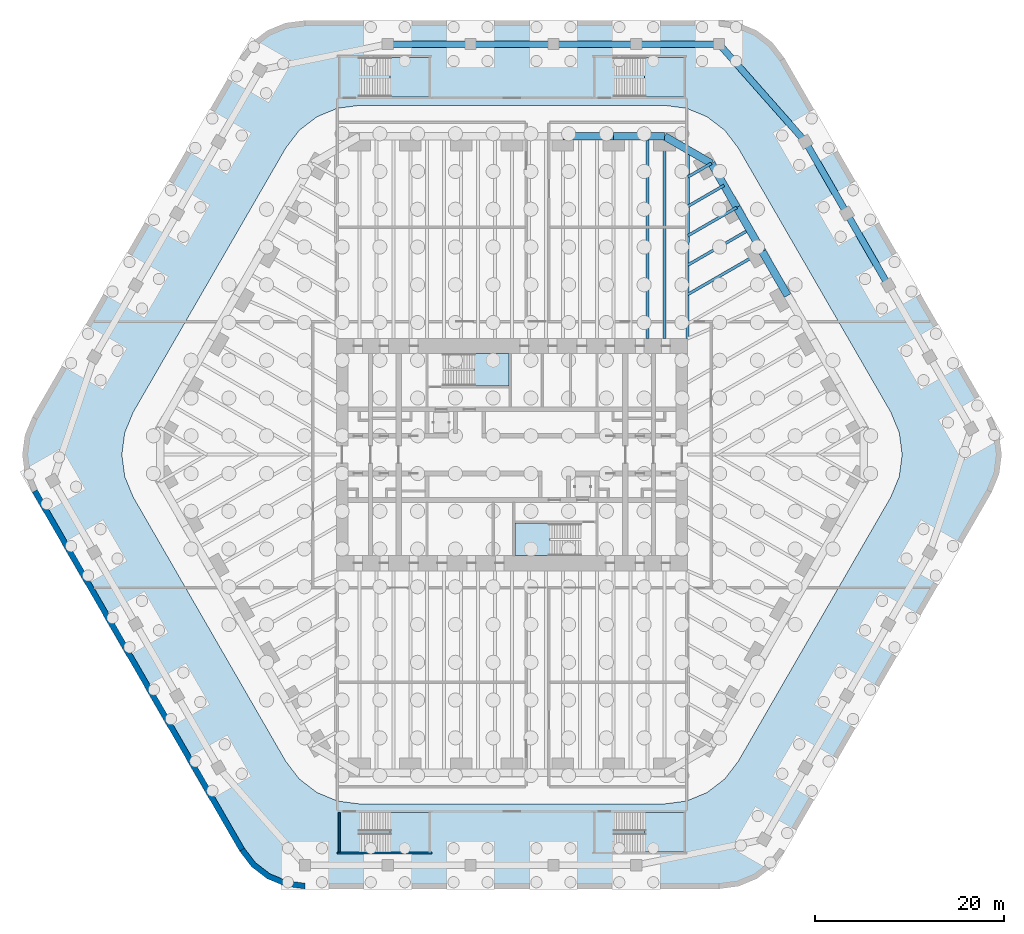
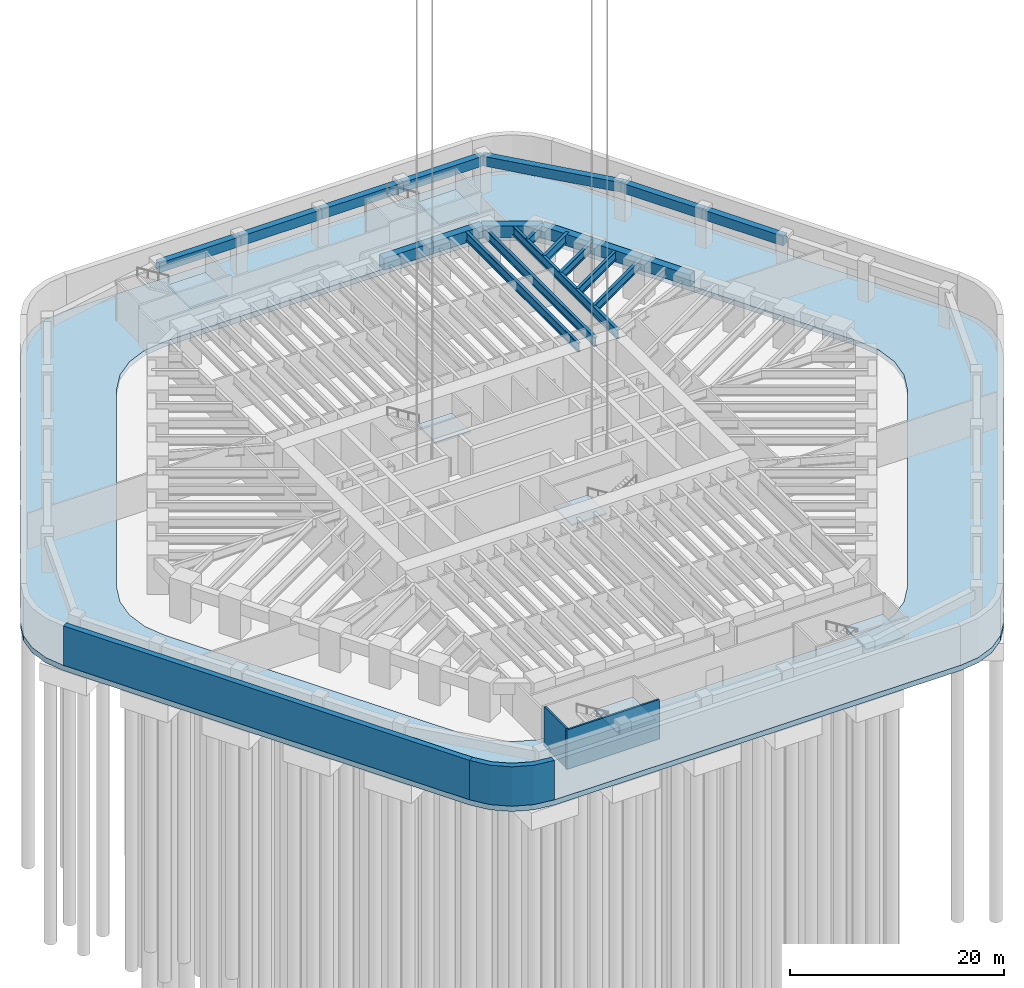
# One storey, part 5 of 17: 21 beams, 7 slabs, 4 walls, 6 elements without a shape of their own.
"""IFC4 building model written with IfcOpenShell, lengths in metres."""

import ifcopenshell
import ifcopenshell.guid

model = None  # the IFC model being written
_history = None  # IfcOwnerHistory: only IFC2X3 demands one
_inside = {}  # id of a spatial element -> (the spatial element, [elements in it])
_under = {}  # id of a project, library or spatial element -> (it, [spatial elements below it])
_declared = {}  # id of a project -> (the project, [libraries it declares])
_typed = {}  # id of a type object -> (the type object, [elements of that type])
_made_of = {}  # id of a material, layer set ... -> (it, [elements and type objects made of it])


def new_model(schema):
    """Start an empty IFC model of exactly this schema.

    Asked for "IFC4X3", IfcOpenShell would pick the latest addendum, in which some entities
    have other attributes; the version numbers below select the first issue.
    IFC2X3 requires an IfcOwnerHistory on every rooted entity: one is made here for all.
    """
    global model, _history
    if schema == "IFC4X3":
        model = ifcopenshell.file(schema_version=(4, 3, 0, 0))
    else:
        model = ifcopenshell.file(schema=schema)
    _inside.clear()
    _under.clear()
    _declared.clear()
    _typed.clear()
    _made_of.clear()
    _history = None
    if model.schema == "IFC2X3":
        org = make("IfcOrganization", Name="unknown")
        user = make(
            "IfcPersonAndOrganization",
            ThePerson=make("IfcPerson", FamilyName="unknown"),
            TheOrganization=org,
        )
        app = make(
            "IfcApplication",
            ApplicationDeveloper=org,
            Version="unknown",
            ApplicationFullName="unknown",
            ApplicationIdentifier="unknown",
        )
        _history = make(
            "IfcOwnerHistory",
            OwningUser=user,
            OwningApplication=app,
            ChangeAction="ADDED",
            CreationDate=0,
        )
    return model


def make(cls, **values):
    """One entity of the class cls with the attributes given. An attribute that is None is left unset."""
    return model.create_entity(
        cls, **{name: value for name, value in values.items() if value is not None}
    )


def rooted(cls, **values):
    """An entity with a GlobalId (a new one), such as an element, a storey or a relation."""
    return make(cls, GlobalId=ifcopenshell.guid.new(), OwnerHistory=_history, **values)


def si_unit(unit_type, name, prefix=None):
    """IfcSIUnit, for example si_unit("LENGTHUNIT", "METRE", prefix="MILLI")."""
    return make("IfcSIUnit", UnitType=unit_type, Prefix=prefix, Name=name)


def assignment(units):
    """IfcUnitAssignment: the units of a project."""
    return None if units is None else make("IfcUnitAssignment", Units=units)


def point(xyz):
    """IfcCartesianPoint."""
    return None if xyz is None else make("IfcCartesianPoint", Coordinates=xyz)


def direction(xyz):
    """IfcDirection."""
    return None if xyz is None else make("IfcDirection", DirectionRatios=xyz)


def frame(location, z_axis=None, x_axis=None):
    """IfcAxis2Placement3D, a coordinate frame: its origin and axes. An axis left out is left unset."""
    return make(
        "IfcAxis2Placement3D",
        Location=point(location),
        Axis=direction(z_axis),
        RefDirection=direction(x_axis),
    )


def frame_2d(location, x_axis=None):
    """IfcAxis2Placement2D, a coordinate frame in the plane: its origin and x axis."""
    return make(
        "IfcAxis2Placement2D", Location=point(location), RefDirection=direction(x_axis)
    )


def origin():
    """The frame at (0, 0, 0) with its axes left unset."""
    return frame((0.0, 0.0, 0.0))


def origin_2d():
    """The frame at (0, 0) in the plane with its x axis left unset."""
    return frame_2d((0.0, 0.0))


def place(relative_to, where):
    """IfcLocalPlacement: puts the frame where relative to a parent placement (None: the world)."""
    return make(
        "IfcLocalPlacement", PlacementRelTo=relative_to, RelativePlacement=where
    )


def context(
    kind, dimensions, precision=None, world=None, true_north=None, identifier=None
):
    """IfcGeometricRepresentationContext, for example the 3D "Model" context."""
    return make(
        "IfcGeometricRepresentationContext",
        ContextIdentifier=identifier,
        ContextType=kind,
        CoordinateSpaceDimension=dimensions,
        Precision=precision,
        WorldCoordinateSystem=world,
        TrueNorth=true_north,
    )


def subcontext(parent, identifier, kind, view, scale=None):
    """IfcGeometricRepresentationSubContext, for example "Body" below "Model"."""
    return make(
        "IfcGeometricRepresentationSubContext",
        ContextIdentifier=identifier,
        ContextType=kind,
        ParentContext=parent,
        TargetScale=scale,
        TargetView=view,
    )


def project(units=None, contexts=None):
    """IfcProject with its units and contexts."""
    return rooted(
        "IfcProject",
        Name="project",
        RepresentationContexts=contexts,
        UnitsInContext=assignment(units),
    )


def spatial(cls, under=None, at=None, **own):
    """A site, building, storey or space (cls), placed at a placement, below another one or the project."""
    s = rooted(cls, ObjectPlacement=at, **own)
    if under is not None:
        _under.setdefault(under.id(), (under, []))[1].append(s)
    return s


def polyline(points):
    """IfcPolyline through the points."""
    return make("IfcPolyline", Points=[point(p) for p in points])


def profile(cls, at=None, kind="AREA", **sizes):
    """A parametric profile (cls). Its sizes go by their IFC names, for example OverallWidth=200.0."""
    return make(cls, ProfileType=kind, Position=at, **sizes)


def rectangle(**sizes):
    """IfcRectangleProfileDef."""
    return profile("IfcRectangleProfileDef", **sizes)


def i_section(**sizes):
    """IfcIShapeProfileDef."""
    return profile("IfcIShapeProfileDef", **sizes)


def outline(outer, holes=None, kind="AREA"):
    """IfcArbitraryClosedProfileDef: a profile drawn as a closed curve; with holes, ...WithVoids."""
    if holes is None:
        return make("IfcArbitraryClosedProfileDef", ProfileType=kind, OuterCurve=outer)
    return make(
        "IfcArbitraryProfileDefWithVoids",
        ProfileType=kind,
        OuterCurve=outer,
        InnerCurves=holes,
    )


def extrude(swept, where, along, depth):
    """IfcExtrudedAreaSolid: the profile swept, set in the frame where, extruded along a direction by depth."""
    return make(
        "IfcExtrudedAreaSolid",
        SweptArea=swept,
        Position=where,
        ExtrudedDirection=direction(along),
        Depth=depth,
    )


def shape(context_of_items, identifier, shape_type, items):
    """IfcShapeRepresentation: the items that make up one representation, for example the "Body"."""
    return make(
        "IfcShapeRepresentation",
        ContextOfItems=context_of_items,
        RepresentationIdentifier=identifier,
        RepresentationType=shape_type,
        Items=items,
    )


def material(Name=None, Category=None):
    """IfcMaterial."""
    return make("IfcMaterial", Name=Name, Category=Category)


def layer(
    of_material, thickness, ventilated=None, Name=None, Category=None, Priority=None
):
    """IfcMaterialLayer: one layer of a wall or slab, of a material (None: an air gap)."""
    return make(
        "IfcMaterialLayer",
        Material=of_material,
        LayerThickness=thickness,
        IsVentilated=ventilated,
        Name=Name,
        Category=Category,
        Priority=Priority,
    )


def layer_set(layers, Name=None):
    """IfcMaterialLayerSet."""
    return make("IfcMaterialLayerSet", MaterialLayers=layers, LayerSetName=Name)


def material_profile(
    of_material, cross_section, Name=None, Category=None, Priority=None
):
    """IfcMaterialProfile: a cross section and its material."""
    return make(
        "IfcMaterialProfile",
        Name=Name,
        Material=of_material,
        Profile=cross_section,
        Priority=Priority,
        Category=Category,
    )


def profile_set(profiles, Name=None, composite=None):
    """IfcMaterialProfileSet."""
    return make(
        "IfcMaterialProfileSet",
        Name=Name,
        MaterialProfiles=profiles,
        CompositeProfile=composite,
    )


def made_of(thing, what):
    """Note that an element or type object is made of a material, layer set ...; save() writes the relation."""
    if what is not None:
        _made_of.setdefault(what.id(), (what, []))[1].append(thing)
    return thing


def type_object(cls, material=None, **own):
    """A type object (cls), such as IfcWallType, which elements share."""
    return made_of(rooted(cls, **own), material)


def element(
    cls,
    number,
    at=None,
    inside=None,
    cuts=None,
    type_object=None,
    material=None,
    context=None,
    identifier="Body",
    shape_type=None,
    held_by="IfcProductDefinitionShape",
    body=None,
    shapes=None,
    **own,
):
    """One element of the class cls, such as IfcWall. Its Tag is "e" and its number.

    at: its placement. inside: the storey or other place that contains it. cuts: it is an
    opening in that element (IfcRelVoidsElement). A single representation is given by context,
    identifier, shape_type and body (its items); several are given by shapes. held_by: the class
    of the entity that holds the representations. save() writes the other relations.
    """
    e = rooted(cls, Tag="e%d" % number, ObjectPlacement=at, **own)
    if body is not None:
        shapes = [shape(context, identifier, shape_type, body)]
    if shapes is not None:
        e.Representation = make(held_by, Representations=shapes)
    if inside is not None:
        _inside.setdefault(inside.id(), (inside, []))[1].append(e)
    if cuts is not None:
        rooted(
            "IfcRelVoidsElement", RelatingBuildingElement=cuts, RelatedOpeningElement=e
        )
    if type_object is not None:
        _typed.setdefault(type_object.id(), (type_object, []))[1].append(e)
    return made_of(e, material)


def aggregate(whole, parts):
    """IfcRelAggregates: a whole, such as a stair, and the parts it consists of."""
    return rooted("IfcRelAggregates", RelatingObject=whole, RelatedObjects=parts)


def save(model, path):
    """Write the relations noted so far, then the file.

    IfcRelAggregates (storeys below a building ...), IfcRelContainedInSpatialStructure (elements
    in a storey), IfcRelDefinesByType, IfcRelAssociatesMaterial and IfcRelDeclares: one each for
    every whole, place, type object, material and project.
    """
    for whole, parts in _under.values():
        aggregate(whole, parts)
    for where, things in _inside.values():
        rooted(
            "IfcRelContainedInSpatialStructure",
            RelatedElements=things,
            RelatingStructure=where,
        )
    for kind, things in _typed.values():
        rooted("IfcRelDefinesByType", RelatedObjects=things, RelatingType=kind)
    for what, things in _made_of.values():
        rooted("IfcRelAssociatesMaterial", RelatedObjects=things, RelatingMaterial=what)
    for by, libraries in _declared.values():
        rooted("IfcRelDeclares", RelatingContext=by, RelatedDefinitions=libraries)
    model.write(path)


model = new_model("IFC4")

# Units and contexts
model_context = context("Model", 3, precision=1e-05, world=origin(), true_north=direction((0.0, 1.0)))
body_context = subcontext(model_context, "Body", "Model", "MODEL_VIEW")
ifc_project = project(units=[si_unit("LENGTHUNIT", "METRE"), si_unit("AREAUNIT", "SQUARE_METRE"), si_unit("VOLUMEUNIT", "CUBIC_METRE"), si_unit("PLANEANGLEUNIT", "RADIAN"), si_unit("MASSUNIT", "GRAM", prefix="KILO")], contexts=[model_context])

# Site, building, storey
site_placement = place(None, origin())
site = spatial("IfcSite", under=ifc_project, at=site_placement, CompositionType="ELEMENT")
building_placement = place(site_placement, origin())
building = spatial("IfcBuilding", under=site, at=building_placement, Name="Tarfa Lantern Tower", CompositionType="ELEMENT")
storey_placement = place(building_placement, frame((0.0, 0.0, -9.0)))
storey = spatial("IfcBuildingStorey", under=building, at=storey_placement, Name="B2", CompositionType="ELEMENT", Elevation=-9.0)

# Beams
ifc_material_1 = material(Name="Concrete C80/95", Category="concrete")
ifc_material_profile_1 = material_profile(ifc_material_1, rectangle(XDim=0.800048828125, YDim=1.300048828125, at=origin_2d()), Name="RC 800x1300")
ifc_profile_set_1 = profile_set([ifc_material_profile_1], Name="Concrete C80/95")
beam_type_1 = type_object("IfcBeamType", Name="EB1 RC 800x1300", PredefinedType="SPANDREL", material=ifc_profile_set_1)
beam_1_placement = place(storey_placement, frame((29.202392578125, 16.860107421875, 3.5), z_axis=(-0.500017906299, 0.866015065331, 0.0), x_axis=(-0.866015065331, -0.500017906299, 0.0)))
element("IfcBeam", 1, at=beam_1_placement, inside=storey, type_object=beam_type_1, Name="Edge beam NE3", PredefinedType="SPANDREL", context=body_context, shape_type="SweptSolid", body=[
    extrude(rectangle(XDim=0.800048828125, YDim=1.300048828125, at=origin_2d()), origin(), (0.0, 0.0, 1.0), 5.388427734375),
])
for number, where, z_axis, x_axis, name in (
    (2, (26.508056640625, 21.526611328125, 3.5), (-0.499998287579, 0.866026392449, 0.0), (-0.866026392449, -0.499998287579, 0.0), "Edge beam NE4"),
    (3, (23.813720703125, 26.193359375, 3.5), (-0.499998287579, 0.866026392449, 0.0), (-0.866026392449, -0.499998287579, 0.0), "Edge beam NE5"),
):
    element("IfcBeam", number, at=place(storey_placement, frame(where, z_axis=z_axis, x_axis=x_axis)), inside=storey, type_object=beam_type_1, Name=name, PredefinedType="SPANDREL", context=body_context, shape_type="SweptSolid", body=[
        extrude(rectangle(XDim=0.800048828125, YDim=1.300048828125, at=origin_2d()), origin(), (0.0, 0.0, 1.0), 5.388671875),
    ])
beam_2_placement = place(storey_placement, frame((21.119384765625, 30.860107421875, 3.5), z_axis=(-0.866033479681, 0.499986011877, 0.0), x_axis=(-0.499986011877, -0.866033479681, 0.0)))
element("IfcBeam", 4, at=beam_2_placement, inside=storey, type_object=beam_type_1, Name="Edge beam NE6", PredefinedType="SPANDREL", context=body_context, shape_type="SweptSolid", body=[
    extrude(rectangle(XDim=0.800048828125, YDim=1.300048828125, at=origin_2d()), origin(), (0.0, 0.0, 1.0), 5.719970703125),
])
beam_3_placement = place(storey_placement, frame((16.165771484375, 33.719970703125, 3.5), z_axis=(-1.0, 0.0, 0.0), x_axis=(0.0, -1.0, 0.0)))
element("IfcBeam", 5, at=beam_3_placement, inside=storey, type_object=beam_type_1, Name="Edge beam N0", PredefinedType="SPANDREL", context=body_context, shape_type="SweptSolid", body=[
    extrude(rectangle(XDim=0.800048828125, YDim=1.300048828125, at=origin_2d()), origin(), (0.0, 0.0, 1.0), 5.388671875),
])
beam_4_placement = place(storey_placement, frame((10.777099609375, 33.719970703125, 3.5), z_axis=(-1.0, 0.0, 0.0), x_axis=(0.0, -1.0, 0.0)))
element("IfcBeam", 6, at=beam_4_placement, inside=storey, type_object=beam_type_1, Name="Edge beam N1", PredefinedType="SPANDREL", context=body_context, shape_type="SweptSolid", body=[
    extrude(rectangle(XDim=0.800048828125, YDim=1.300048828125, at=origin_2d()), origin(), (0.0, 0.0, 1.0), 5.388427734375),
])
ifc_material_profile_2 = material_profile(ifc_material_1, rectangle(XDim=0.699951171875, YDim=1.10009765625, at=origin_2d()), Name="RC 700x1100")
ifc_profile_set_2 = profile_set([ifc_material_profile_2], Name="Concrete C80/95")
beam_type_2 = type_object("IfcBeamType", Name="PB1 RC 700x1100", PredefinedType="BEAM", material=ifc_profile_set_2)
for number, where, z_axis, x_axis, name in (
    (7, (39.865966796875, 17.949951171875, 3.60009765625), (-0.499980931779, 0.866036412547, 0.0), (-0.866036412547, -0.499980931779, 0.0), "Podium ring beam NE2"),
    (8, (35.478271484375, 25.550048828125, 3.60009765625), (-0.500013843384, 0.866017411155, 0.0), (-0.866017411155, -0.500013843384, 0.0), "Podium ring beam NE3"),
):
    element("IfcBeam", number, at=place(storey_placement, frame(where, z_axis=z_axis, x_axis=x_axis)), inside=storey, type_object=beam_type_2, Name=name, PredefinedType="BEAM", context=body_context, shape_type="SweptSolid", body=[
        extrude(rectangle(XDim=0.699951171875, YDim=1.10009765625, at=origin_2d()), origin(), (0.0, 0.0, 1.0), 8.775634765625),
    ])
beam_5_placement = place(storey_placement, frame((31.09033203125, 33.14990234375, 3.60009765625), z_axis=(-0.662381688084, 0.74916653642, 0.0), x_axis=(-0.74916653642, -0.662381688084, 0.0)))
element("IfcBeam", 9, at=beam_5_placement, inside=storey, type_object=beam_type_2, Name="Podium ring beam NE4", PredefinedType="BEAM", context=body_context, shape_type="SweptSolid", body=[
    extrude(rectangle(XDim=0.699951171875, YDim=1.10009765625, at=origin_2d()), origin(), (0.0, 0.0, 1.0), 13.8154296875),
])
for number, where, z_axis, x_axis, name in (
    (10, (21.939208984375, 43.5, 3.60009765625), (-1.0, 0.0, 0.0), (0.0, -1.0, 0.0), "Podium ring beam N0"),
    (11, (13.16357421875, 43.5, 3.60009765625), (-1.0, 0.0, 0.0), (0.0, -1.0, 0.0), "Podium ring beam N1"),
):
    element("IfcBeam", number, at=place(storey_placement, frame(where, z_axis=z_axis, x_axis=x_axis)), inside=storey, type_object=beam_type_2, Name=name, PredefinedType="BEAM", context=body_context, shape_type="SweptSolid", body=[
        extrude(rectangle(XDim=0.699951171875, YDim=1.10009765625, at=origin_2d()), origin(), (0.0, 0.0, 1.0), 8.775634765625),
    ])
beam_6_placement = place(storey_placement, frame((4.387939453125, 43.5, 3.60009765625), z_axis=(-1.0, 0.0, 0.0), x_axis=(0.0, -1.0, 0.0)))
element("IfcBeam", 12, at=beam_6_placement, inside=storey, type_object=beam_type_2, Name="Podium ring beam N2", PredefinedType="BEAM", context=body_context, shape_type="SweptSolid", body=[
    extrude(rectangle(XDim=0.699951171875, YDim=1.10009765625, at=origin_2d()), origin(), (0.0, 0.0, 1.0), 8.77587890625),
])
beam_7_placement = place(storey_placement, frame((-4.387939453125, 43.5, 3.60009765625), z_axis=(-1.0, 0.0, 0.0), x_axis=(0.0, -1.0, 0.0)))
element("IfcBeam", 13, at=beam_7_placement, inside=storey, type_object=beam_type_2, Name="Podium ring beam N3", PredefinedType="BEAM", context=body_context, shape_type="SweptSolid", body=[
    extrude(rectangle(XDim=0.699951171875, YDim=1.10009765625, at=origin_2d()), origin(), (0.0, 0.0, 1.0), 8.775634765625),
])
ifc_material_2 = material(Name="Steel S460M", Category="steel")
ifc_material_profile_3 = material_profile(ifc_material_2, i_section(OverallWidth=0.302001953125, OverallDepth=1.008056640625, WebThickness=0.02099609375, FlangeThickness=0.0400390625, FilletRadius=0.030029296875, at=origin_2d()), Name="UB1016x305x349")
ifc_profile_set_3 = profile_set([ifc_material_profile_3], Name="Steel S460M")
beam_type_3 = type_object("IfcBeamType", Name="UB1016x305x349", PredefinedType="BEAM", material=ifc_profile_set_3)
beam_8_placement = place(storey_placement, frame((26.508056640625, 21.526611328125, 3.64599609375), z_axis=(-0.866035355799, -0.49998276221, 0.0), x_axis=(0.49998276221, -0.866035355799, 0.0)))
element("IfcBeam", 14, at=beam_8_placement, inside=storey, type_object=beam_type_3, Name="Floor beam NE4", PredefinedType="BEAM", context=body_context, shape_type="SweptSolid", body=[
    extrude(i_section(OverallWidth=0.302001953125, OverallDepth=1.008056640625, WebThickness=0.02099609375, FlangeThickness=0.0400390625, FilletRadius=0.030029296875, at=origin_2d()), origin(), (0.0, 0.0, 1.0), 9.119873046875),
])
beam_9_placement = place(storey_placement, frame((23.813720703125, 26.193359375, 3.64599609375), z_axis=(-0.866015997389, -0.500016292001, 0.0), x_axis=(0.500016292001, -0.866015997389, 0.0)))
element("IfcBeam", 15, at=beam_9_placement, inside=storey, type_object=beam_type_3, Name="Floor beam NE5", PredefinedType="BEAM", context=body_context, shape_type="SweptSolid", body=[
    extrude(i_section(OverallWidth=0.302001953125, OverallDepth=1.008056640625, WebThickness=0.02099609375, FlangeThickness=0.0400390625, FilletRadius=0.030029296875, at=origin_2d()), origin(), (0.0, 0.0, 1.0), 5.993408203125),
])
beam_10_placement = place(storey_placement, frame((21.119384765625, 30.860107421875, 3.64599609375), z_axis=(-0.866012580594, -0.500022209759, 0.0), x_axis=(0.500022209759, -0.866012580594, 0.0)))
element("IfcBeam", 16, at=beam_10_placement, inside=storey, type_object=beam_type_3, Name="Floor beam NE6", PredefinedType="BEAM", context=body_context, shape_type="SweptSolid", body=[
    extrude(i_section(OverallWidth=0.302001953125, OverallDepth=1.008056640625, WebThickness=0.02099609375, FlangeThickness=0.0400390625, FilletRadius=0.030029296875, at=origin_2d()), origin(), (0.0, 0.0, 1.0), 2.866943359375),
])
beam_11_placement = place(storey_placement, frame((25.160888671875, 23.860107421875, 3.64599609375), z_axis=(-0.866009650502, -0.500027284493, 0.0), x_axis=(0.500027284493, -0.866009650502, 0.0)))
element("IfcBeam", 17, at=beam_11_placement, inside=storey, type_object=beam_type_3, Name="Floor beam NE4M", PredefinedType="BEAM", context=body_context, shape_type="SweptSolid", body=[
    extrude(i_section(OverallWidth=0.302001953125, OverallDepth=1.008056640625, WebThickness=0.02099609375, FlangeThickness=0.0400390625, FilletRadius=0.030029296875, at=origin_2d()), origin(), (0.0, 0.0, 1.0), 7.556640625),
])
beam_12_placement = place(storey_placement, frame((22.466552734375, 28.526611328125, 3.64599609375), z_axis=(-0.866026823135, -0.499997541604, 0.0), x_axis=(0.499997541604, -0.866026823135, 0.0)))
element("IfcBeam", 18, at=beam_12_placement, inside=storey, type_object=beam_type_3, Name="Floor beam NE5M", PredefinedType="BEAM", context=body_context, shape_type="SweptSolid", body=[
    extrude(i_section(OverallWidth=0.302001953125, OverallDepth=1.008056640625, WebThickness=0.02099609375, FlangeThickness=0.0400390625, FilletRadius=0.030029296875, at=origin_2d()), origin(), (0.0, 0.0, 1.0), 4.43017578125),
])
ifc_material_profile_4 = material_profile(ifc_material_2, i_section(OverallWidth=0.314208984375, OverallDepth=1.055908203125, WebThickness=0.035888671875, FlangeThickness=0.06396484375, FilletRadius=0.030029296875, at=origin_2d()), Name="UB1016x305x584")
ifc_profile_set_4 = profile_set([ifc_material_profile_4], Name="Steel S460M")
beam_type_4 = type_object("IfcBeamType", Name="UB1016x305x584", PredefinedType="BEAM", material=ifc_profile_set_4)
beam_13_placement = place(storey_placement, frame((18.60009765625, 12.300048828125, 3.6220703125), z_axis=(0.00212508222, 0.99999774201, 0.0), x_axis=(-0.99999774201, 0.00212508222, 0.0)))
element("IfcBeam", 19, at=beam_13_placement, inside=storey, type_object=beam_type_4, Name="Hip girder NE", PredefinedType="BEAM", context=body_context, shape_type="SweptSolid", body=[
    extrude(i_section(OverallWidth=0.314208984375, OverallDepth=1.055908203125, WebThickness=0.035888671875, FlangeThickness=0.06396484375, FilletRadius=0.030029296875, at=origin_2d()), origin(), (0.0, 0.0, 1.0), 19.989990234375),
])
for number, where, z_axis, x_axis, name in (
    (20, (16.165771484375, 33.719970703125, 3.6220703125), (0.0, -1.0, 0.0), (1.0, 0.0, 0.0), "Floor beam N0"),
    (21, (14.36962890625, 33.719970703125, 3.6220703125), (0.0, -1.0, 0.0), (1.0, 0.0, 0.0), "Floor beam N0M1"),
):
    element("IfcBeam", number, at=place(storey_placement, frame(where, z_axis=z_axis, x_axis=x_axis)), inside=storey, type_object=beam_type_4, Name=name, PredefinedType="BEAM", context=body_context, shape_type="SweptSolid", body=[
        extrude(i_section(OverallWidth=0.314208984375, OverallDepth=1.055908203125, WebThickness=0.035888671875, FlangeThickness=0.06396484375, FilletRadius=0.030029296875, at=origin_2d()), origin(), (0.0, 0.0, 1.0), 21.419921875),
    ])

# Slab
ifc_material_3 = material(Name="Concrete C40/50", Category="concrete")
ifc_layer_1 = layer(ifc_material_3, 0.60009765625)
ifc_layer_set_1 = layer_set([ifc_layer_1], Name="BS1 BASE SLAB 600")
slab_type_1 = type_object("IfcSlabType", Name="BS1 BASE SLAB 600", PredefinedType="BASESLAB", material=ifc_layer_set_1)
slab_1_placement = place(storey_placement, frame((0.0, 0.0, -0.60009765625)))
element("IfcSlab", 22, at=slab_1_placement, inside=storey, type_object=slab_type_1, Name="Basement base slab", PredefinedType="BASESLAB", context=body_context, shape_type="SweptSolid", body=[
    extrude(outline(polyline([(50.806884765625, 4.0), (28.867431640625, 42.0), (27.59619140625, 43.65673828125), (25.939208984375, 44.92822265625), (24.009765625, 45.727294921875), (21.939208984375, 46.0), (-21.939208984375, 46.0), (-24.009765625, 45.727294921875), (-25.939208984375, 44.92822265625), (-27.59619140625, 43.65673828125), (-28.867431640625, 42.0), (-50.806884765625, 4.0), (-51.60595703125, 2.070556640625), (-51.878662109375, 0.0), (-51.60595703125, -2.070556640625), (-50.806884765625, -4.0), (-28.867431640625, -42.0), (-27.59619140625, -43.65673828125), (-25.939208984375, -44.92822265625), (-24.009765625, -45.727294921875), (-21.939208984375, -46.0), (21.939208984375, -46.0), (24.009765625, -45.727294921875), (25.939208984375, -44.92822265625), (27.59619140625, -43.65673828125), (28.867431640625, -42.0), (50.806884765625, -4.0), (51.60595703125, -2.070556640625), (51.878662109375, 0.0), (51.60595703125, 2.070556640625), (50.806884765625, 4.0)]), holes=[polyline([(40.125732421875, 4.5), (23.9599609375, 32.5), (22.52978515625, 34.364013671875), (20.665771484375, 35.794189453125), (18.4951171875, 36.693359375), (16.165771484375, 37.0), (-16.165771484375, 37.0), (-18.4951171875, 36.693359375), (-20.665771484375, 35.794189453125), (-22.52978515625, 34.364013671875), (-23.9599609375, 32.5), (-40.125732421875, 4.5), (-41.02490234375, 2.329345703125), (-41.33154296875, 0.0), (-41.02490234375, -2.329345703125), (-40.125732421875, -4.5), (-23.9599609375, -32.5), (-22.52978515625, -34.364013671875), (-20.665771484375, -35.794189453125), (-18.4951171875, -36.693359375), (-16.165771484375, -37.0), (16.165771484375, -37.0), (18.4951171875, -36.693359375), (20.665771484375, -35.794189453125), (22.52978515625, -34.364013671875), (23.9599609375, -32.5), (40.125732421875, -4.5), (41.02490234375, -2.329345703125), (41.33154296875, 0.0), (41.02490234375, 2.329345703125), (40.125732421875, 4.5)])]), origin(), (0.0, 0.0, 1.0), 0.60009765625),
])

# Stair, slab
stair_type_1 = type_object("IfcStairType", Name="ST-T1 HALF-TURN STAIR 4500 RISE", PredefinedType="HALF_TURN_STAIR", material=ifc_material_3)
stair_1_placement = place(storey_placement, origin())
stair_1 = element("IfcStair", 23, at=stair_1_placement, inside=storey, type_object=stair_type_1, Name="Stair ST1", PredefinedType="HALF_TURN_STAIR")
ifc_layer_2 = layer(ifc_material_3, 0.199951171875)
ifc_layer_set_2 = layer_set([ifc_layer_2], Name="SL1 STAIR LANDING 200")
slab_type_2 = type_object("IfcSlabType", Name="SL1 STAIR LANDING 200", PredefinedType="LANDING", material=ifc_layer_set_2)
slab_2_placement = place(storey_placement, frame((0.0, 0.0, 2.050048828125)))
slab_2 = element("IfcSlab", 24, at=slab_2_placement, type_object=slab_type_2, Name="ST1 landing 1", PredefinedType="LANDING", context=body_context, shape_type="SweptSolid", body=[
    extrude(outline(polyline([(-4.0400390625, 7.25), (-0.300048828125, 7.25), (-0.300048828125, 10.699951171875), (-4.0400390625, 10.699951171875), (-4.0400390625, 7.25)])), origin(), (0.0, 0.0, 1.0), 0.199951171875),
])
aggregate(stair_1, [slab_2])

stair_2_placement = place(storey_placement, origin())
stair_2 = element("IfcStair", 25, at=stair_2_placement, inside=storey, type_object=stair_type_1, Name="Stair ST2", PredefinedType="HALF_TURN_STAIR")
slab_3_placement = place(storey_placement, frame((0.0, 0.0, 2.050048828125)))
slab_3 = element("IfcSlab", 26, at=slab_3_placement, type_object=slab_type_2, Name="ST2 landing 1", PredefinedType="LANDING", context=body_context, shape_type="SweptSolid", body=[
    extrude(outline(polyline([(4.0400390625, -7.25), (0.300048828125, -7.25), (0.300048828125, -10.699951171875), (4.0400390625, -10.699951171875), (4.0400390625, -7.25)])), origin(), (0.0, 0.0, 1.0), 0.199951171875),
])
aggregate(stair_2, [slab_3])

stair_type_2 = type_object("IfcStairType", Name="ST-T2 HALF-TURN STAIR 4500 RISE", PredefinedType="HALF_TURN_STAIR", material=ifc_material_3)
stair_3_placement = place(storey_placement, origin())
stair_3 = element("IfcStair", 27, at=stair_3_placement, inside=storey, type_object=stair_type_2, Name="Stair ST3", PredefinedType="HALF_TURN_STAIR")
slab_4_placement = place(storey_placement, frame((0.0, 0.0, 2.050048828125)))
slab_4 = element("IfcSlab", 28, at=slab_4_placement, type_object=slab_type_2, Name="ST3 landing 1", PredefinedType="LANDING", context=body_context, shape_type="SweptSolid", body=[
    extrude(outline(polyline([(14.06005859375, 37.89990234375), (18.199951171875, 37.89990234375), (18.199951171875, 42.10009765625), (14.06005859375, 42.10009765625), (14.06005859375, 37.89990234375)])), origin(), (0.0, 0.0, 1.0), 0.199951171875),
])
aggregate(stair_3, [slab_4])

stair_4_placement = place(storey_placement, origin())
stair_4 = element("IfcStair", 29, at=stair_4_placement, inside=storey, type_object=stair_type_2, Name="Stair ST4", PredefinedType="HALF_TURN_STAIR")
slab_5_placement = place(storey_placement, frame((0.0, 0.0, 2.050048828125)))
slab_5 = element("IfcSlab", 30, at=slab_5_placement, type_object=slab_type_2, Name="ST4 landing 1", PredefinedType="LANDING", context=body_context, shape_type="SweptSolid", body=[
    extrude(outline(polyline([(-12.93994140625, 37.89990234375), (-8.800048828125, 37.89990234375), (-8.800048828125, 42.10009765625), (-12.93994140625, 42.10009765625), (-12.93994140625, 37.89990234375)])), origin(), (0.0, 0.0, 1.0), 0.199951171875),
])
aggregate(stair_4, [slab_5])

stair_5_placement = place(storey_placement, origin())
stair_5 = element("IfcStair", 31, at=stair_5_placement, inside=storey, type_object=stair_type_2, Name="Stair ST5", PredefinedType="HALF_TURN_STAIR")
slab_6_placement = place(storey_placement, frame((0.0, 0.0, 2.050048828125)))
slab_6 = element("IfcSlab", 32, at=slab_6_placement, type_object=slab_type_2, Name="ST5 landing 1", PredefinedType="LANDING", context=body_context, shape_type="SweptSolid", body=[
    extrude(outline(polyline([(-12.93994140625, -42.10009765625), (-8.800048828125, -42.10009765625), (-8.800048828125, -37.89990234375), (-12.93994140625, -37.89990234375), (-12.93994140625, -42.10009765625)])), origin(), (0.0, 0.0, 1.0), 0.199951171875),
])
aggregate(stair_5, [slab_6])

stair_6_placement = place(storey_placement, origin())
stair_6 = element("IfcStair", 33, at=stair_6_placement, inside=storey, type_object=stair_type_2, Name="Stair ST6", PredefinedType="HALF_TURN_STAIR")
slab_7_placement = place(storey_placement, frame((0.0, 0.0, 2.050048828125)))
slab_7 = element("IfcSlab", 34, at=slab_7_placement, type_object=slab_type_2, Name="ST6 landing 1", PredefinedType="LANDING", context=body_context, shape_type="SweptSolid", body=[
    extrude(outline(polyline([(14.06005859375, -42.10009765625), (18.199951171875, -42.10009765625), (18.199951171875, -37.89990234375), (14.06005859375, -37.89990234375), (14.06005859375, -42.10009765625)])), origin(), (0.0, 0.0, 1.0), 0.199951171875),
])
aggregate(stair_6, [slab_7])

# Walls
ifc_material_4 = material(Name="Concrete C50/60", Category="concrete")
ifc_layer_3 = layer(ifc_material_4, 0.60009765625)
ifc_layer_set_3 = layer_set([ifc_layer_3], Name="RW1 RETAINING WALL 600")
wall_type_1 = type_object("IfcWallType", Name="RW1 RETAINING WALL 600", PredefinedType="SOLIDWALL", material=ifc_layer_set_3)
wall_1_placement = place(storey_placement, frame((-50.547119140625, -3.85009765625, 0.0), z_axis=(0.0, 0.0, 1.0), x_axis=(0.500002442456, -0.866023993627, 0.0)))
element("IfcWall", 35, at=wall_1_placement, inside=storey, type_object=wall_type_1, Name="Retaining wall SW", PredefinedType="SOLIDWALL", context=body_context, shape_type="SweptSolid", body=[
    extrude(rectangle(XDim=43.878662109375, YDim=0.60009765625, at=frame_2d((21.939453125, 0.0))), origin(), (0.0, 0.0, 1.0), 4.5),
])
wall_2_placement = place(storey_placement, origin())
element("IfcWall", 36, at=wall_2_placement, inside=storey, type_object=wall_type_1, Name="Retaining wall corner SW", PredefinedType="SOLIDWALL", context=body_context, shape_type="SweptSolid", body=[
    extrude(outline(polyline([(-28.867431640625, -42.0), (-27.59619140625, -43.65673828125), (-25.939208984375, -44.92822265625), (-24.009765625, -45.727294921875), (-21.939208984375, -46.0), (-21.939208984375, -45.39990234375), (-23.8544921875, -45.14794921875), (-25.639404296875, -44.40869140625), (-27.171875, -43.232666015625), (-28.347900390625, -41.699951171875), (-28.867431640625, -42.0)])), origin(), (0.0, 0.0, 1.0), 4.5),
])
ifc_layer_4 = layer(ifc_material_1, 0.199951171875)
ifc_layer_set_4 = layer_set([ifc_layer_4], Name="SW12 CORE WALL 200")
wall_type_2 = type_object("IfcWallType", Name="SW12 CORE WALL 200", PredefinedType="SHEAR", material=ifc_layer_set_4)
wall_3_placement = place(storey_placement, frame((-18.5, -42.199951171875, 0.0), z_axis=(0.0, 0.0, 1.0), x_axis=(1.0, 0.0, 0.0)))
element("IfcWall", 37, at=wall_3_placement, inside=storey, type_object=wall_type_2, Name="Stair ST5 shaft wall", PredefinedType="SHEAR", context=body_context, shape_type="SweptSolid", body=[
    extrude(rectangle(XDim=10.0, YDim=0.199951171875, at=frame_2d((5.0, 0.0))), origin(), (0.0, 0.0, 1.0), 4.5),
])
wall_4_placement = place(storey_placement, frame((-18.300048828125, -37.89990234375, 0.0), z_axis=(0.0, 0.0, 1.0), x_axis=(0.0, -1.0, 0.0)))
element("IfcWall", 38, at=wall_4_placement, inside=storey, type_object=wall_type_2, Name="Stair ST5 shaft wall", PredefinedType="SHEAR", context=body_context, shape_type="SweptSolid", body=[
    extrude(rectangle(XDim=4.2001953125, YDim=0.199951171875, at=frame_2d((2.10009765625, 0.0))), origin(), (0.0, 0.0, 1.0), 4.5),
])

save(model, "model.ifc")
